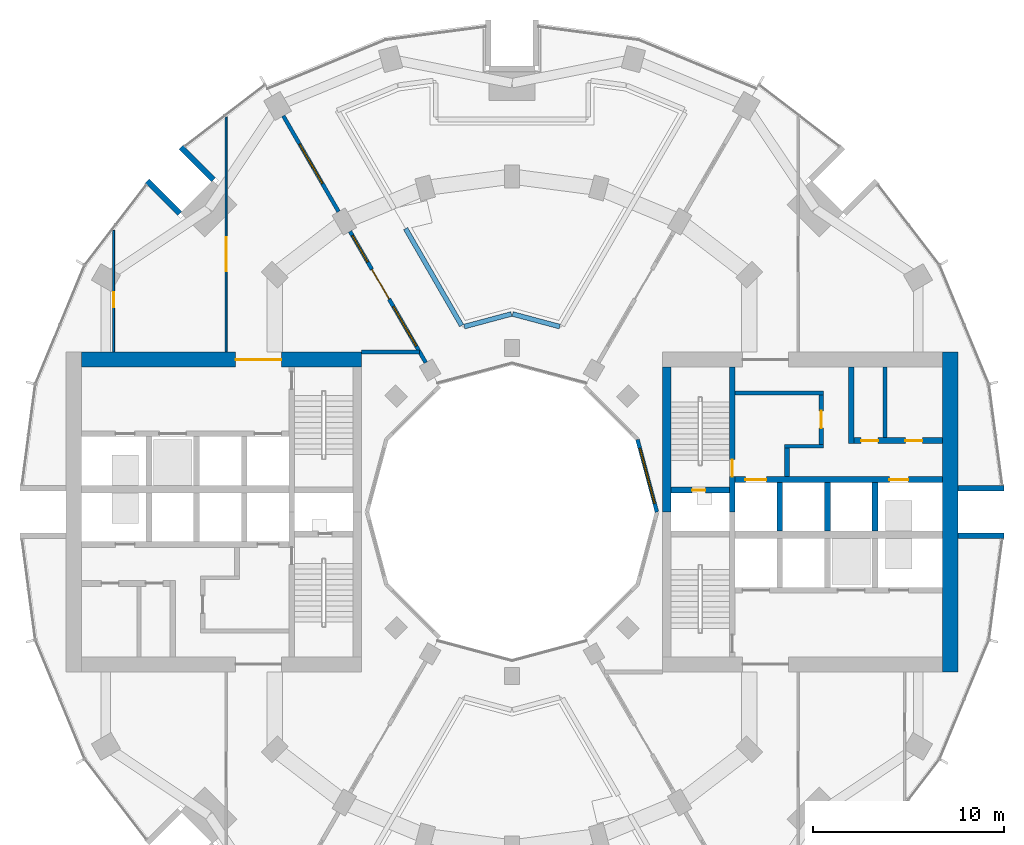
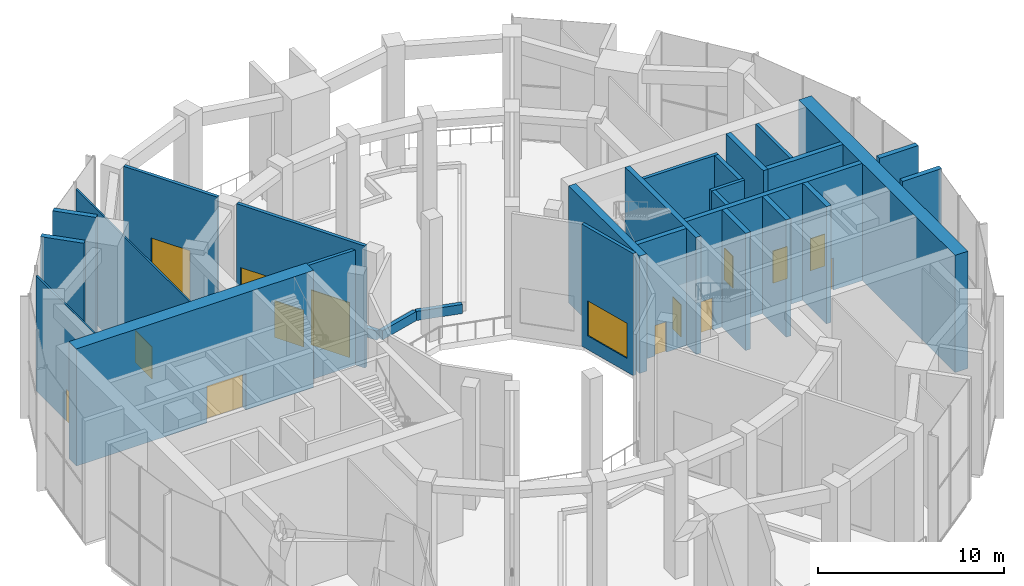
# One storey, part 13 of 18: 29 walls, 11 doors, 4 windows, 15 openings.
"""IFC4 building model written with IfcOpenShell, lengths in metres."""

from ifc_helpers import new_model, si_unit, direction, frame, frame_2d, origin, place, context, subcontext, project, spatial, rectangle, extrude, material, layer, layer_set, type_object, element, fill, save


model = new_model("IFC4")

# Units and contexts
model_context = context("Model", 3, precision=1e-05, world=origin(), true_north=direction((0.0, 1.0)))
body_context = subcontext(model_context, "Body", "Model", "MODEL_VIEW")
ifc_project = project(units=[si_unit("LENGTHUNIT", "METRE"), si_unit("AREAUNIT", "SQUARE_METRE"), si_unit("VOLUMEUNIT", "CUBIC_METRE"), si_unit("PLANEANGLEUNIT", "RADIAN"), si_unit("MASSUNIT", "GRAM", prefix="KILO")], contexts=[model_context])

# Site, building, storey
site_placement = place(None, origin())
site = spatial("IfcSite", under=ifc_project, at=site_placement, CompositionType="ELEMENT")
building_placement = place(site_placement, origin())
building = spatial("IfcBuilding", under=site, at=building_placement, Name="Torre Brocal", CompositionType="ELEMENT")
storey_placement = place(building_placement, frame((0.0, 0.0, 74.39990234375)))
storey = spatial("IfcBuildingStorey", under=building, at=storey_placement, Name="L17", CompositionType="ELEMENT", Elevation=74.39990234375)

# Walls
ifc_material_1 = material(Name="Masonry block", Category="masonry")
ifc_layer_1 = layer(ifc_material_1, 0.199951171875)
ifc_layer_set_1 = layer_set([ifc_layer_1], Name="Masonry block")
wall_type_1 = type_object("IfcWallType", Name="CORE PARTITION 200", PredefinedType="PARTITIONING", material=ifc_layer_set_1)
wall_1_placement = place(storey_placement, frame((99.577392578125, 78.89990234375, 0.0), z_axis=(0.0, 0.0, 1.0), x_axis=(0.0, 1.0, 0.0)))
element("IfcWall", 1, at=wall_1_placement, inside=storey, type_object=wall_type_1, Name="Wall CP200", PredefinedType="PARTITIONING", context=body_context, shape_type="SweptSolid", body=[
    extrude(rectangle(XDim=3.7001953125, YDim=0.199951171875, at=frame_2d((1.85009765625, 0.0))), origin(), (0.0, 0.0, 1.0), 7.68017578125),
])
ifc_material_2 = material(Name="Concrete C80", Category="concrete")
ifc_layer_2 = layer(ifc_material_2, 0.199951171875)
ifc_layer_set_2 = layer_set([ifc_layer_2], Name="Concrete C80")
wall_type_2 = type_object("IfcWallType", Name="CORE WALL 200 C80", PredefinedType="SHEAR", material=ifc_layer_set_2)
wall_2_placement = place(storey_placement, frame((91.699951171875, 81.25, 0.0), z_axis=(0.0, 0.0, 1.0), x_axis=(1.0, 0.0, 0.0)))
element("IfcWall", 2, at=wall_2_placement, inside=storey, type_object=wall_type_2, Name="Wall CW200-80", PredefinedType="SHEAR", context=body_context, shape_type="SweptSolid", body=[
    extrude(rectangle(XDim=4.650146484375, YDim=0.199951171875, at=frame_2d((2.3251953125, 0.0))), origin(), (0.0, 0.0, 1.0), 7.68017578125),
])
wall_3_placement = place(storey_placement, frame((94.300048828125, 78.449951171875, 0.0), z_axis=(0.0, 0.0, 1.0), x_axis=(1.0, 0.0, 0.0)))
element("IfcWall", 3, at=wall_3_placement, inside=storey, type_object=wall_type_2, Name="Wall CW200-80", PredefinedType="SHEAR", context=body_context, shape_type="SweptSolid", body=[
    extrude(rectangle(XDim=2.050048828125, YDim=0.199951171875, at=frame_2d((1.02490234375, 0.0))), origin(), (0.0, 0.0, 1.0), 7.68017578125),
])

# Wall, opening, door
ifc_material_3 = material(Name="Concrete C80", Category="concrete")
ifc_layer_3 = layer(ifc_material_3, 0.25)
ifc_layer_set_3 = layer_set([ifc_layer_3], Name="Concrete C80")
wall_type_3 = type_object("IfcWallType", Name="CORE WALL 250 C80", PredefinedType="SHEAR", material=ifc_layer_set_3)
wall_4_placement = place(storey_placement, frame((96.22509765625, 78.550048828125, 0.0), z_axis=(0.0, 0.0, 1.0), x_axis=(0.0, 1.0, 0.0)))
wall_4 = element("IfcWall", 4, at=wall_4_placement, inside=storey, type_object=wall_type_3, Name="Wall CW250-80", PredefinedType="SHEAR", context=body_context, shape_type="SweptSolid", body=[
    extrude(rectangle(XDim=2.599853515625, YDim=0.25, at=frame_2d((1.2998046875, 0.0))), origin(), (0.0, 0.0, 1.0), 7.68017578125),
])
opening_1_placement = place(wall_4_placement, frame((0.85009765625, 0.0, 0.0)))
opening_1 = element("IfcOpeningElement", 5, at=opening_1_placement, cuts=wall_4, Name="Opening E-D15", PredefinedType="OPENING", context=body_context, shape_type="SweptSolid", body=[
    extrude(rectangle(XDim=0.89990234375, YDim=2.10009765625, at=frame_2d((0.449951171875, 1.050048828125))), frame((0.0, 0.135009765625, 0.0), z_axis=(0.0, -1.0, 0.0), x_axis=(1.0, 0.0, 0.0)), (0.0, 0.0, 1.0), 0.27001953125),
])
ifc_material_4 = material(Name="Steel A653", Category="steel")
door_type_1 = type_object("IfcDoorType", Name="LOBBY DOOR FD120 900X2100", OperationType="SINGLE_SWING_RIGHT", PredefinedType="DOOR", material=ifc_material_4)
door_1_placement = place(opening_1_placement, origin())
door_1 = element("IfcDoor", 6, at=door_1_placement, inside=storey, type_object=door_type_1, Name="Door E-D15", OperationType="SINGLE_SWING_LEFT", OverallHeight=2.10009765625, OverallWidth=0.89990234375, PredefinedType="DOOR", context=body_context, shape_type="SweptSolid", body=[
    extrude(rectangle(XDim=0.89990234375, YDim=2.10009765625, at=frame_2d((0.449951171875, 1.050048828125))), frame((0.0, 0.02490234375, 0.0), z_axis=(0.0, -1.0, 0.0), x_axis=(1.0, 0.0, 0.0)), (0.0, 0.0, 1.0), 0.050048828125),
])
fill(opening_1, door_1)

# Wall
wall_5_placement = place(storey_placement, frame((94.425048828125, 76.85009765625, 0.0), z_axis=(0.0, 0.0, 1.0), x_axis=(0.0, 1.0, 0.0)))
element("IfcWall", 7, at=wall_5_placement, inside=storey, type_object=wall_type_3, Name="Wall CW250-80", PredefinedType="SHEAR", context=body_context, shape_type="SweptSolid", body=[
    extrude(rectangle(XDim=1.5, YDim=0.25, at=frame_2d((0.75, 0.0))), origin(), (0.0, 0.0, 1.0), 7.68017578125),
])

# Wall, opening, door
ifc_material_5 = material(Name="Concrete C80", Category="concrete")
ifc_layer_4 = layer(ifc_material_5, 0.300048828125)
ifc_layer_set_4 = layer_set([ifc_layer_4], Name="Concrete C80")
wall_type_4 = type_object("IfcWallType", Name="CORE WALL 300 C80", PredefinedType="SHEAR", material=ifc_layer_set_4)
wall_6_placement = place(storey_placement, frame((91.550048828125, 75.0, 0.0), z_axis=(0.0, 0.0, 1.0), x_axis=(0.0, 1.0, 0.0)))
wall_6 = element("IfcWall", 8, at=wall_6_placement, inside=storey, type_object=wall_type_4, Name="Wall CW300-80", PredefinedType="SHEAR", context=body_context, shape_type="SweptSolid", body=[
    extrude(rectangle(XDim=7.60009765625, YDim=0.300048828125, at=frame_2d((3.800048828125, 0.0))), origin(), (0.0, 0.0, 1.0), 7.68017578125),
])
opening_2_placement = place(wall_6_placement, frame((1.85009765625, 0.0, 0.0)))
opening_2 = element("IfcOpeningElement", 9, at=opening_2_placement, cuts=wall_6, Name="Opening E-D02", PredefinedType="OPENING", context=body_context, shape_type="SweptSolid", body=[
    extrude(rectangle(XDim=0.89990234375, YDim=2.10009765625, at=frame_2d((0.449951171875, 1.050048828125))), frame((0.0, 0.159912109375, 0.0), z_axis=(0.0, -1.0, 0.0), x_axis=(1.0, 0.0, 0.0)), (0.0, 0.0, 1.0), 0.320068359375),
])
ifc_material_6 = material(Name="Steel A653", Category="steel")
door_type_2 = type_object("IfcDoorType", Name="STAIR DOOR FD120 900X2100", OperationType="SINGLE_SWING_RIGHT", PredefinedType="DOOR", material=ifc_material_6)
door_2_placement = place(opening_2_placement, origin())
door_2 = element("IfcDoor", 10, at=door_2_placement, inside=storey, type_object=door_type_2, Name="Door E-D02", OperationType="SINGLE_SWING_LEFT", OverallHeight=2.10009765625, OverallWidth=0.89990234375, PredefinedType="DOOR", context=body_context, shape_type="SweptSolid", body=[
    extrude(rectangle(XDim=0.89990234375, YDim=2.10009765625, at=frame_2d((0.449951171875, 1.050048828125))), frame((0.0, 0.02490234375, 0.0), z_axis=(0.0, -1.0, 0.0), x_axis=(1.0, 0.0, 0.0)), (0.0, 0.0, 1.0), 0.050048828125),
])
fill(opening_2, door_2)

wall_7_placement = place(storey_placement, frame((88.35009765625, 76.14990234375, 0.0), z_axis=(0.0, 0.0, 1.0), x_axis=(1.0, 0.0, 0.0)))
wall_7 = element("IfcWall", 11, at=wall_7_placement, inside=storey, type_object=wall_type_4, Name="Wall CW300-80", PredefinedType="SHEAR", context=body_context, shape_type="SweptSolid", body=[
    extrude(rectangle(XDim=3.0498046875, YDim=0.300048828125, at=frame_2d((1.52490234375, 0.0))), origin(), (0.0, 0.0, 1.0), 7.68017578125),
])
opening_3_placement = place(wall_7_placement, frame((1.10009765625, 0.0, 0.0)))
opening_3 = element("IfcOpeningElement", 12, at=opening_3_placement, cuts=wall_7, Name="Opening E-D01", PredefinedType="OPENING", context=body_context, shape_type="SweptSolid", body=[
    extrude(rectangle(XDim=0.699951171875, YDim=2.0, at=frame_2d((0.35009765625, 1.0))), frame((0.0, 0.159912109375, 0.0), z_axis=(0.0, -1.0, 0.0), x_axis=(1.0, 0.0, 0.0)), (0.0, 0.0, 1.0), 0.320068359375),
])
ifc_material_7 = material(Name="Steel A653", Category="steel")
door_type_3 = type_object("IfcDoorType", Name="RISER DOOR FD120 700X2000", OperationType="SINGLE_SWING_LEFT", PredefinedType="DOOR", material=ifc_material_7)
door_3_placement = place(opening_3_placement, frame((0.699951171875, 0.0, 0.0), z_axis=(0.0, 0.0, 1.0), x_axis=(-1.0, 0.0, 0.0)))
door_3 = element("IfcDoor", 13, at=door_3_placement, inside=storey, type_object=door_type_3, Name="Door E-D01", OperationType="SINGLE_SWING_RIGHT", OverallHeight=2.0, OverallWidth=0.699951171875, PredefinedType="DOOR", context=body_context, shape_type="SweptSolid", body=[
    extrude(rectangle(XDim=0.699951171875, YDim=2.0, at=frame_2d((0.35009765625, 1.0))), frame((0.0, 0.02490234375, 0.0), z_axis=(0.0, -1.0, 0.0), x_axis=(1.0, 0.0, 0.0)), (0.0, 0.0, 1.0), 0.050048828125),
])
fill(opening_3, door_3)

# Wall, openings, doors
wall_8_placement = place(storey_placement, frame((91.699951171875, 76.699951171875, 0.0), z_axis=(0.0, 0.0, 1.0), x_axis=(1.0, 0.0, 0.0)))
wall_8 = element("IfcWall", 14, at=wall_8_placement, inside=storey, type_object=wall_type_4, Name="Wall CW300-80", PredefinedType="SHEAR", context=body_context, shape_type="SweptSolid", body=[
    extrude(rectangle(XDim=10.900146484375, YDim=0.300048828125, at=frame_2d((5.4501953125, 0.0))), origin(), (0.0, 0.0, 1.0), 7.68017578125),
])
opening_4_placement = place(wall_8_placement, frame((0.550048828125, 0.0, 0.0)))
opening_4 = element("IfcOpeningElement", 15, at=opening_4_placement, cuts=wall_8, Name="Opening LD", PredefinedType="OPENING", context=body_context, shape_type="SweptSolid", body=[
    extrude(rectangle(XDim=1.10009765625, YDim=2.10009765625, at=frame_2d((0.550048828125, 1.050048828125))), frame((0.0, 0.159912109375, 0.0), z_axis=(0.0, -1.0, 0.0), x_axis=(1.0, 0.0, 0.0)), (0.0, 0.0, 1.0), 0.320068359375),
])
opening_5_placement = place(wall_8_placement, frame((8.10009765625, 0.0, 0.0)))
opening_5 = element("IfcOpeningElement", 16, at=opening_5_placement, cuts=wall_8, Name="Opening LD10", PredefinedType="OPENING", context=body_context, shape_type="SweptSolid", body=[
    extrude(rectangle(XDim=1.0, YDim=2.10009765625, at=frame_2d((0.5, 1.050048828125))), frame((0.0, 0.159912109375, 0.0), z_axis=(0.0, -1.0, 0.0), x_axis=(1.0, 0.0, 0.0)), (0.0, 0.0, 1.0), 0.320068359375),
])
ifc_material_8 = material(Name="Stainless steel AISI 316", Category="steel")
door_type_4 = type_object("IfcDoorType", Name="LIFT LANDING DOOR 1000X2100", OperationType="DOUBLE_DOOR_SLIDING", PredefinedType="DOOR", material=ifc_material_8)
door_4_placement = place(opening_5_placement, origin())
door_4 = element("IfcDoor", 17, at=door_4_placement, inside=storey, type_object=door_type_4, Name="Door LD10", OperationType="DOUBLE_DOOR_SLIDING", OverallHeight=2.10009765625, OverallWidth=1.0, PredefinedType="DOOR", context=body_context, shape_type="SweptSolid", body=[
    extrude(rectangle(XDim=1.0, YDim=2.10009765625, at=frame_2d((0.5, 1.050048828125))), frame((0.0, 0.02490234375, 0.0), z_axis=(0.0, -1.0, 0.0), x_axis=(1.0, 0.0, 0.0)), (0.0, 0.0, 1.0), 0.050048828125),
])
fill(opening_5, door_4)
ifc_material_9 = material(Name="Stainless steel AISI 316", Category="steel")
door_type_5 = type_object("IfcDoorType", Name="LIFT LANDING DOOR 1100X2100", OperationType="DOUBLE_DOOR_SLIDING", PredefinedType="DOOR", material=ifc_material_9)
door_5_placement = place(opening_4_placement, origin())
door_5 = element("IfcDoor", 18, at=door_5_placement, inside=storey, type_object=door_type_5, Name="Door LD", OperationType="DOUBLE_DOOR_SLIDING", OverallHeight=2.10009765625, OverallWidth=1.10009765625, PredefinedType="DOOR", context=body_context, shape_type="SweptSolid", body=[
    extrude(rectangle(XDim=1.10009765625, YDim=2.10009765625, at=frame_2d((0.550048828125, 1.050048828125))), frame((0.0, 0.02490234375, 0.0), z_axis=(0.0, -1.0, 0.0), x_axis=(1.0, 0.0, 0.0)), (0.0, 0.0, 1.0), 0.050048828125),
])
fill(opening_4, door_5)

# Walls
for number, where, z_axis, x_axis, name in (
    (19, (94.050048828125, 74.0, 0.0), (0.0, 0.0, 1.0), (0.0, 1.0, 0.0), "Wall CW300-80"),
    (20, (96.550048828125, 74.0, 0.0), (0.0, 0.0, 1.0), (0.0, 1.0, 0.0), "Wall CW300-80"),
    (21, (99.050048828125, 74.0, 0.0), (0.0, 0.0, 1.0), (0.0, 1.0, 0.0), "Wall CW300-80"),
):
    element("IfcWall", number, at=place(storey_placement, frame(where, z_axis=z_axis, x_axis=x_axis)), inside=storey, type_object=wall_type_4, Name=name, PredefinedType="SHEAR", context=body_context, shape_type="SweptSolid", body=[
        extrude(rectangle(XDim=2.550048828125, YDim=0.300048828125, at=frame_2d((1.27490234375, 0.0))), origin(), (0.0, 0.0, 1.0), 7.68017578125),
    ])
wall_9_placement = place(storey_placement, frame((97.800048828125, 78.60009765625, 0.0), z_axis=(0.0, 0.0, 1.0), x_axis=(0.0, 1.0, 0.0)))
element("IfcWall", 22, at=wall_9_placement, inside=storey, type_object=wall_type_4, Name="Wall CW300-80", PredefinedType="SHEAR", context=body_context, shape_type="SweptSolid", body=[
    extrude(rectangle(XDim=4.0, YDim=0.300048828125, at=frame_2d((2.0, 0.0))), origin(), (0.0, 0.0, 1.0), 7.68017578125),
])

# Wall, openings, doors
wall_10_placement = place(storey_placement, frame((97.949951171875, 78.75, 0.0), z_axis=(0.0, 0.0, 1.0), x_axis=(1.0, 0.0, 0.0)))
wall_10 = element("IfcWall", 23, at=wall_10_placement, inside=storey, type_object=wall_type_4, Name="Wall CW300-80", PredefinedType="SHEAR", context=body_context, shape_type="SweptSolid", body=[
    extrude(rectangle(XDim=4.650146484375, YDim=0.300048828125, at=frame_2d((2.3251953125, 0.0))), origin(), (0.0, 0.0, 1.0), 7.68017578125),
])
opening_6_placement = place(wall_10_placement, frame((0.36376953125, 0.0, 0.0)))
opening_6 = element("IfcOpeningElement", 24, at=opening_6_placement, cuts=wall_10, Name="Opening E-D05", PredefinedType="OPENING", context=body_context, shape_type="SweptSolid", body=[
    extrude(rectangle(XDim=0.89990234375, YDim=2.10009765625, at=frame_2d((0.449951171875, 1.050048828125))), frame((0.0, 0.159912109375, 0.0), z_axis=(0.0, -1.0, 0.0), x_axis=(1.0, 0.0, 0.0)), (0.0, 0.0, 1.0), 0.320068359375),
])
opening_7_placement = place(wall_10_placement, frame((2.688720703125, 0.0, 0.0)))
opening_7 = element("IfcOpeningElement", 25, at=opening_7_placement, cuts=wall_10, Name="Opening E-D06", PredefinedType="OPENING", context=body_context, shape_type="SweptSolid", body=[
    extrude(rectangle(XDim=0.89990234375, YDim=2.10009765625, at=frame_2d((0.449951171875, 1.050048828125))), frame((0.0, 0.159912109375, 0.0), z_axis=(0.0, -1.0, 0.0), x_axis=(1.0, 0.0, 0.0)), (0.0, 0.0, 1.0), 0.320068359375),
])
ifc_material_10 = material(Name="Steel A653", Category="steel")
door_type_6 = type_object("IfcDoorType", Name="ROOM DOOR FD30S 900X2100", OperationType="SINGLE_SWING_LEFT", PredefinedType="DOOR", material=ifc_material_10)
door_6_placement = place(opening_6_placement, origin())
door_6 = element("IfcDoor", 26, at=door_6_placement, inside=storey, type_object=door_type_6, Name="Door E-D05", OperationType="SINGLE_SWING_RIGHT", OverallHeight=2.10009765625, OverallWidth=0.89990234375, PredefinedType="DOOR", context=body_context, shape_type="SweptSolid", body=[
    extrude(rectangle(XDim=0.89990234375, YDim=2.10009765625, at=frame_2d((0.449951171875, 1.050048828125))), frame((0.0, 0.02490234375, 0.0), z_axis=(0.0, -1.0, 0.0), x_axis=(1.0, 0.0, 0.0)), (0.0, 0.0, 1.0), 0.050048828125),
])
fill(opening_6, door_6)
door_7_placement = place(opening_7_placement, origin())
door_7 = element("IfcDoor", 27, at=door_7_placement, inside=storey, type_object=door_type_6, Name="Door E-D06", OperationType="SINGLE_SWING_LEFT", OverallHeight=2.10009765625, OverallWidth=0.89990234375, PredefinedType="DOOR", context=body_context, shape_type="SweptSolid", body=[
    extrude(rectangle(XDim=0.89990234375, YDim=2.10009765625, at=frame_2d((0.449951171875, 1.050048828125))), frame((0.0, 0.02490234375, 0.0), z_axis=(0.0, -1.0, 0.0), x_axis=(1.0, 0.0, 0.0)), (0.0, 0.0, 1.0), 0.050048828125),
])
fill(opening_7, door_7)

# Walls
ifc_material_11 = material(Name="Concrete C80", Category="concrete")
ifc_layer_5 = layer(ifc_material_11, 0.449951171875)
ifc_layer_set_5 = layer_set([ifc_layer_5], Name="Concrete C80")
wall_type_5 = type_object("IfcWallType", Name="CORE WALL 450 C80", PredefinedType="SHEAR", material=ifc_layer_set_5)
wall_11_placement = place(storey_placement, frame((88.125, 75.0, 0.0), z_axis=(0.0, 0.0, 1.0), x_axis=(0.0, 1.0, 0.0)))
element("IfcWall", 28, at=wall_11_placement, inside=storey, type_object=wall_type_5, Name="Wall CW450-80", PredefinedType="SHEAR", context=body_context, shape_type="SweptSolid", body=[
    extrude(rectangle(XDim=7.60009765625, YDim=0.449951171875, at=frame_2d((3.800048828125, 0.0))), origin(), (0.0, 0.0, 1.0), 7.68017578125),
])
ifc_material_12 = material(Name="Concrete C80", Category="concrete")
ifc_layer_6 = layer(ifc_material_12, 0.800048828125)
ifc_layer_set_6 = layer_set([ifc_layer_6], Name="Concrete C80")
wall_type_6 = type_object("IfcWallType", Name="CORE WALL 800 C80", PredefinedType="SHEAR", material=ifc_layer_set_6)
wall_12_placement = place(storey_placement, frame((103.0, 66.60009765625, 0.0), z_axis=(0.0, 0.0, 1.0), x_axis=(0.0, 1.0, 0.0)))
element("IfcWall", 29, at=wall_12_placement, inside=storey, type_object=wall_type_6, Name="Wall CW800-80", PredefinedType="SHEAR", context=body_context, shape_type="SweptSolid", body=[
    extrude(rectangle(XDim=16.7998046875, YDim=0.800048828125, at=frame_2d((8.39990234375, 0.0))), origin(), (0.0, 0.0, 1.0), 7.68017578125),
])

# Wall, opening, door
wall_13_placement = place(storey_placement, frame((72.10009765625, 83.0, 0.0), z_axis=(0.0, 0.0, 1.0), x_axis=(-1.0, 0.0, 0.0)))
wall_13 = element("IfcWall", 30, at=wall_13_placement, inside=storey, type_object=wall_type_6, Name="Wall CW800-80", PredefinedType="SHEAR", context=body_context, shape_type="SweptSolid", body=[
    extrude(rectangle(XDim=14.7001953125, YDim=0.800048828125, at=frame_2d((7.35009765625, 0.0))), origin(), (0.0, 0.0, 1.0), 7.68017578125),
])
opening_8_placement = place(wall_13_placement, frame((4.199951171875, 0.0, 0.0)))
opening_8 = element("IfcOpeningElement", 31, at=opening_8_placement, cuts=wall_13, Name="Opening W-D27", PredefinedType="OPENING", context=body_context, shape_type="SweptSolid", body=[
    extrude(rectangle(XDim=2.39990234375, YDim=2.39990234375, at=frame_2d((1.199951171875, 1.199951171875))), frame((0.0, 0.409912109375, 0.0), z_axis=(0.0, -1.0, 0.0), x_axis=(1.0, 0.0, 0.0)), (0.0, 0.0, 1.0), 0.820068359375),
])
ifc_material_13 = material(Name="Steel A653", Category="steel")
door_type_7 = type_object("IfcDoorType", Name="DOUBLE FIRE DOOR FD90 2400X2400", OperationType="DOUBLE_DOOR_SINGLE_SWING", PredefinedType="DOOR", material=ifc_material_13)
door_8_placement = place(opening_8_placement, frame((2.39990234375, 0.0, 0.0), z_axis=(0.0, 0.0, 1.0), x_axis=(-1.0, 0.0, 0.0)))
door_8 = element("IfcDoor", 32, at=door_8_placement, inside=storey, type_object=door_type_7, Name="Door W-D27", OperationType="DOUBLE_DOOR_SINGLE_SWING", OverallHeight=2.39990234375, OverallWidth=2.39990234375, PredefinedType="DOOR", context=body_context, shape_type="SweptSolid", body=[
    extrude(rectangle(XDim=2.39990234375, YDim=2.39990234375, at=frame_2d((1.199951171875, 1.199951171875))), frame((0.0, 0.02490234375, 0.0), z_axis=(0.0, -1.0, 0.0), x_axis=(1.0, 0.0, 0.0)), (0.0, 0.0, 1.0), 0.050048828125),
])
fill(opening_8, door_8)

# Walls
ifc_material_14 = material(Name="Concrete C80", Category="concrete")
ifc_layer_7 = layer(ifc_material_14, 0.300048828125)
ifc_layer_set_7 = layer_set([ifc_layer_7], Name="Concrete C80")
wall_type_7 = type_object("IfcWallType", Name="NOTCH RETURN WALL 300 C80", PredefinedType="NOTDEFINED", material=ifc_layer_set_7)
for number, where, z_axis, x_axis, name in (
    (33, (103.39990234375, 73.75, 0.0), (0.0, 0.0, 1.0), (1.0, 0.0, 0.0), "NOTCH RETURN WALL"),
    (34, (103.39990234375, 76.25, 0.0), (0.0, 0.0, 1.0), (1.0, 0.0, 0.0), "NOTCH RETURN WALL"),
    (35, (64.337646484375, 92.43017578125, 0.0), (0.0, 0.0, 1.0), (-0.707106781187, 0.707106781187, 0.0), "NOTCH RETURN WALL"),
    (36, (62.56982421875, 90.662353515625, 0.0), (0.0, 0.0, 1.0), (-0.707106781187, 0.707106781187, 0.0), "NOTCH RETURN WALL"),
):
    element("IfcWall", number, at=place(storey_placement, frame(where, z_axis=z_axis, x_axis=x_axis)), inside=storey, type_object=wall_type_7, Name=name, PredefinedType="NOTDEFINED", context=body_context, shape_type="SweptSolid", body=[
        extrude(rectangle(XDim=2.415771484375, YDim=0.300048828125, at=frame_2d((1.2080078125, 0.0))), origin(), (0.0, 0.0, 1.0), 8.0),
    ])

# Wall, opening, door
ifc_material_15 = material(Name="Gypsum board", Category="Gypsum")
ifc_layer_8 = layer(ifc_material_15, 0.10009765625)
ifc_layer_set_8 = layer_set([ifc_layer_8], Name="Gypsum board")
wall_type_8 = type_object("IfcWallType", Name="PARTITION 100", PredefinedType="PARTITIONING", material=ifc_layer_set_8)
wall_14_placement = place(storey_placement, frame((59.093994140625, 83.39990234375, 0.0), z_axis=(0.0, 0.0, 1.0), x_axis=(0.0, 1.0, 0.0)))
wall_14 = element("IfcWall", 37, at=wall_14_placement, inside=storey, type_object=wall_type_8, Name="BATHROOM WALL", PredefinedType="PARTITIONING", context=body_context, shape_type="SweptSolid", body=[
    extrude(rectangle(XDim=6.37109375, YDim=0.10009765625, at=frame_2d((3.185546875, 0.0))), origin(), (0.0, 0.0, 1.0), 7.550048828125),
])
opening_9_placement = place(wall_14_placement, frame((2.33544921875, 0.0, 0.0)))
opening_9 = element("IfcOpeningElement", 38, at=opening_9_placement, cuts=wall_14, Name="Opening SG1-D05", PredefinedType="OPENING", context=body_context, shape_type="SweptSolid", body=[
    extrude(rectangle(XDim=0.800048828125, YDim=2.10009765625, at=frame_2d((0.39990234375, 1.050048828125))), frame((0.0, 0.06005859375, 0.0), z_axis=(0.0, -1.0, 0.0), x_axis=(1.0, 0.0, 0.0)), (0.0, 0.0, 1.0), 0.1201171875),
])
ifc_material_16 = material(Name="Timber", Category="wood")
door_type_8 = type_object("IfcDoorType", Name="BATHROOM DOOR 800X2100", OperationType="SINGLE_SWING_LEFT", PredefinedType="DOOR", material=ifc_material_16)
door_9_placement = place(opening_9_placement, frame((0.800048828125, 0.0, 0.0), z_axis=(0.0, 0.0, 1.0), x_axis=(-1.0, 0.0, 0.0)))
door_9 = element("IfcDoor", 39, at=door_9_placement, inside=storey, type_object=door_type_8, Name="SG1-D05", OperationType="SINGLE_SWING_RIGHT", OverallHeight=2.10009765625, OverallWidth=0.800048828125, PredefinedType="DOOR", context=body_context, shape_type="SweptSolid", body=[
    extrude(rectangle(XDim=0.800048828125, YDim=2.10009765625, at=frame_2d((0.39990234375, 1.050048828125))), frame((0.0, 0.02490234375, 0.0), z_axis=(0.0, -1.0, 0.0), x_axis=(1.0, 0.0, 0.0)), (0.0, 0.0, 1.0), 0.050048828125),
])
fill(opening_9, door_9)

wall_15_placement = place(storey_placement, frame((65.0, 83.39990234375, 0.0), z_axis=(0.0, 0.0, 1.0), x_axis=(0.0, 1.0, 0.0)))
wall_15 = element("IfcWall", 40, at=wall_15_placement, inside=storey, type_object=wall_type_8, Name="ROOM PARTITION", PredefinedType="PARTITIONING", context=body_context, shape_type="SweptSolid", body=[
    extrude(rectangle(XDim=12.330078125, YDim=0.10009765625, at=frame_2d((6.1650390625, 0.0))), origin(), (0.0, 0.0, 1.0), 7.550048828125),
])
opening_10_placement = place(wall_15_placement, frame((4.221435546875, 0.0, 0.0)))
opening_10 = element("IfcOpeningElement", 41, at=opening_10_placement, cuts=wall_15, Name="Opening SG1-D04", PredefinedType="OPENING", context=body_context, shape_type="SweptSolid", body=[
    extrude(rectangle(XDim=1.800048828125, YDim=2.10009765625, at=frame_2d((0.89990234375, 1.050048828125))), frame((0.0, 0.06005859375, 0.0), z_axis=(0.0, -1.0, 0.0), x_axis=(1.0, 0.0, 0.0)), (0.0, 0.0, 1.0), 0.1201171875),
])
ifc_material_17 = material(Name="Timber", Category="wood")
door_type_9 = type_object("IfcDoorType", Name="DOUBLE DOOR 1800X2100", OperationType="DOUBLE_DOOR_SINGLE_SWING", PredefinedType="DOOR", material=ifc_material_17)
door_10_placement = place(opening_10_placement, origin())
door_10 = element("IfcDoor", 42, at=door_10_placement, inside=storey, type_object=door_type_9, Name="SG1-D04", OperationType="DOUBLE_DOOR_SINGLE_SWING", OverallHeight=2.10009765625, OverallWidth=1.800048828125, PredefinedType="DOOR", context=body_context, shape_type="SweptSolid", body=[
    extrude(rectangle(XDim=1.800048828125, YDim=2.10009765625, at=frame_2d((0.89990234375, 1.050048828125))), frame((0.0, 0.02490234375, 0.0), z_axis=(0.0, -1.0, 0.0), x_axis=(1.0, 0.0, 0.0)), (0.0, 0.0, 1.0), 0.050048828125),
])
fill(opening_10, door_10)

# Wall
ifc_material_18 = material(Name="Gypsum board", Category="Gypsum")
ifc_layer_9 = layer(ifc_material_18, 0.199951171875)
ifc_layer_set_9 = layer_set([ifc_layer_9], Name="Gypsum board")
wall_type_9 = type_object("IfcWallType", Name="PARTITION 200 EI60", PredefinedType="PARTITIONING", material=ifc_layer_set_9)
wall_16_placement = place(storey_placement, frame((72.10107421875, 83.39990234375, 0.0), z_axis=(0.0, 0.0, 1.0), x_axis=(1.0, 0.0, 0.0)))
element("IfcWall", 43, at=wall_16_placement, inside=storey, type_object=wall_type_9, Name="PARTY PARTITION", PredefinedType="PARTITIONING", context=body_context, shape_type="SweptSolid", body=[
    extrude(rectangle(XDim=3.0478515625, YDim=0.199951171875, at=frame_2d((1.52392578125, 0.0))), origin(), (0.0, 0.0, 1.0), 7.550048828125),
])

# Wall, openings, door, windows
ifc_material_19 = material(Name="Concrete C40", Category="concrete")
ifc_layer_10 = layer(ifc_material_19, 0.199951171875)
ifc_layer_set_10 = layer_set([ifc_layer_10], Name="Concrete C40")
wall_type_10 = type_object("IfcWallType", Name="PAVILION BOUNDARY WALL 200", PredefinedType="NOTDEFINED", material=ifc_layer_set_10)
wall_17_placement = place(storey_placement, frame((75.47509765625, 82.837646484375, 0.0), z_axis=(0.0, 0.0, 1.0), x_axis=(-0.50001663867, 0.86601579723, 0.0)))
wall_17 = element("IfcWall", 44, at=wall_17_placement, inside=storey, type_object=wall_type_10, Name="PAVILION BOUNDARY WALL", PredefinedType="NOTDEFINED", context=body_context, shape_type="SweptSolid", body=[
    extrude(rectangle(XDim=7.949951171875, YDim=0.199951171875, at=frame_2d((3.97509765625, 0.0))), origin(), (0.0, 0.0, 1.0), 8.0),
])
opening_11_placement = place(wall_17_placement, frame((1.0, 0.0, 0.300048828125)))
opening_11 = element("IfcOpeningElement", 45, at=opening_11_placement, cuts=wall_17, Name="Opening W4", PredefinedType="OPENING", context=body_context, shape_type="SweptSolid", body=[
    extrude(rectangle(XDim=2.39990234375, YDim=3.60009765625, at=frame_2d((1.199951171875, 1.800048828125))), frame((0.0, 0.10986328125, 0.0), z_axis=(0.0, -1.0, 0.0), x_axis=(1.0, 0.0, 0.0)), (0.0, 0.0, 1.0), 0.219970703125),
])
opening_12_placement = place(wall_17_placement, frame((3.85009765625, 0.0, 0.0)))
opening_12 = element("IfcOpeningElement", 46, at=opening_12_placement, cuts=wall_17, Name="Opening L17-E02", PredefinedType="OPENING", context=body_context, shape_type="SweptSolid", body=[
    extrude(rectangle(XDim=1.800048828125, YDim=2.39990234375, at=frame_2d((0.89990234375, 1.199951171875))), frame((0.0, 0.10986328125, 0.0), z_axis=(0.0, -1.0, 0.0), x_axis=(1.0, 0.0, 0.0)), (0.0, 0.0, 1.0), 0.219970703125),
])
opening_13_placement = place(wall_17_placement, frame((6.10009765625, 0.0, 0.300048828125)))
opening_13 = element("IfcOpeningElement", 47, at=opening_13_placement, cuts=wall_17, Name="Opening W4-1600", PredefinedType="OPENING", context=body_context, shape_type="SweptSolid", body=[
    extrude(rectangle(XDim=1.60009765625, YDim=3.60009765625, at=frame_2d((0.800048828125, 1.800048828125))), frame((0.0, 0.10986328125, 0.0), z_axis=(0.0, -1.0, 0.0), x_axis=(1.0, 0.0, 0.0)), (0.0, 0.0, 1.0), 0.219970703125),
])
ifc_material_20 = material(Name="Aluminium and glass", Category="aluminium")
door_type_10 = type_object("IfcDoorType", Name="PAVILION DOOR 1800X2400", OperationType="DOUBLE_DOOR_SINGLE_SWING", PredefinedType="DOOR", material=ifc_material_20)
door_11_placement = place(opening_12_placement, frame((1.800048828125, 0.0, 0.0), z_axis=(0.0, 0.0, 1.0), x_axis=(-1.0, 0.0, 0.0)))
door_11 = element("IfcDoor", 48, at=door_11_placement, inside=storey, type_object=door_type_10, Name="DOOR L17-E02", OperationType="DOUBLE_DOOR_SINGLE_SWING", OverallHeight=2.39990234375, OverallWidth=1.800048828125, PredefinedType="DOOR", context=body_context, shape_type="SweptSolid", body=[
    extrude(rectangle(XDim=1.800048828125, YDim=2.39990234375, at=frame_2d((0.89990234375, 1.199951171875))), frame((0.0, 0.02490234375, 0.0), z_axis=(0.0, -1.0, 0.0), x_axis=(1.0, 0.0, 0.0)), (0.0, 0.0, 1.0), 0.050048828125),
])
fill(opening_12, door_11)
ifc_material_21 = material(Name="Aluminium and glass", Category="aluminium")
window_type_1 = type_object("IfcWindowType", Name="PAVILION WINDOW 1600X3600", PartitioningType="SINGLE_PANEL", PredefinedType="WINDOW", material=ifc_material_21)
window_1_placement = place(opening_13_placement, origin())
window_1 = element("IfcWindow", 49, at=window_1_placement, inside=storey, type_object=window_type_1, Name="PAVILION WINDOW 1600X3600", OverallHeight=3.60009765625, OverallWidth=1.60009765625, PartitioningType="SINGLE_PANEL", PredefinedType="WINDOW", context=body_context, shape_type="SweptSolid", body=[
    extrude(rectangle(XDim=1.60009765625, YDim=3.60009765625, at=frame_2d((0.800048828125, 1.800048828125))), frame((0.0, 0.030029296875, 0.0), z_axis=(0.0, -1.0, 0.0), x_axis=(1.0, 0.0, 0.0)), (0.0, 0.0, 1.0), 0.06005859375),
])
fill(opening_13, window_1)
ifc_material_22 = material(Name="Aluminium and glass", Category="aluminium")
window_type_2 = type_object("IfcWindowType", Name="PAVILION WINDOW 2400X3600", PartitioningType="SINGLE_PANEL", PredefinedType="WINDOW", material=ifc_material_22)
window_2_placement = place(opening_11_placement, origin())
window_2 = element("IfcWindow", 50, at=window_2_placement, inside=storey, type_object=window_type_2, Name="PAVILION WINDOW 2400X3600", OverallHeight=3.60009765625, OverallWidth=2.39990234375, PartitioningType="SINGLE_PANEL", PredefinedType="WINDOW", context=body_context, shape_type="SweptSolid", body=[
    extrude(rectangle(XDim=2.39990234375, YDim=3.60009765625, at=frame_2d((1.199951171875, 1.800048828125))), frame((0.0, 0.030029296875, 0.0), z_axis=(0.0, -1.0, 0.0), x_axis=(1.0, 0.0, 0.0)), (0.0, 0.0, 1.0), 0.06005859375),
])
fill(opening_11, window_2)

# Wall, opening, window
wall_18_placement = place(storey_placement, frame((70.89990234375, 90.76171875, 0.0), z_axis=(0.0, 0.0, 1.0), x_axis=(-0.499987231761, 0.866032775405, 0.0)))
wall_18 = element("IfcWall", 51, at=wall_18_placement, inside=storey, type_object=wall_type_10, Name="PAVILION BOUNDARY WALL", PredefinedType="NOTDEFINED", context=body_context, shape_type="SweptSolid", body=[
    extrude(rectangle(XDim=5.800048828125, YDim=0.199951171875, at=frame_2d((2.89990234375, 0.0))), origin(), (0.0, 0.0, 1.0), 8.0),
])
opening_14_placement = place(wall_18_placement, frame((1.699951171875, 0.0, 0.300048828125)))
opening_14 = element("IfcOpeningElement", 52, at=opening_14_placement, cuts=wall_18, Name="Opening W4", PredefinedType="OPENING", context=body_context, shape_type="SweptSolid", body=[
    extrude(rectangle(XDim=2.39990234375, YDim=3.60009765625, at=frame_2d((1.199951171875, 1.800048828125))), frame((0.0, 0.10986328125, 0.0), z_axis=(0.0, -1.0, 0.0), x_axis=(1.0, 0.0, 0.0)), (0.0, 0.0, 1.0), 0.219970703125),
])
window_3_placement = place(opening_14_placement, origin())
window_3 = element("IfcWindow", 53, at=window_3_placement, inside=storey, type_object=window_type_2, Name="PAVILION WINDOW 2400X3600", OverallHeight=3.60009765625, OverallWidth=2.39990234375, PartitioningType="SINGLE_PANEL", PredefinedType="WINDOW", context=body_context, shape_type="SweptSolid", body=[
    extrude(rectangle(XDim=2.39990234375, YDim=3.60009765625, at=frame_2d((1.199951171875, 1.800048828125))), frame((0.0, 0.030029296875, 0.0), z_axis=(0.0, -1.0, 0.0), x_axis=(1.0, 0.0, 0.0)), (0.0, 0.0, 1.0), 0.06005859375),
])
fill(opening_14, window_3)

# Walls
ifc_material_23 = material(Name="Concrete C35", Category="concrete")
ifc_layer_11 = layer(ifc_material_23, 0.25)
ifc_layer_set_11 = layer_set([ifc_layer_11], Name="Concrete C35")
wall_type_11 = type_object("IfcWallType", Name="PLANTER WALL 250 THICK 600 HIGH 8", PredefinedType="USERDEFINED", material=ifc_layer_set_11)
wall_19_placement = place(storey_placement, frame((74.417724609375, 89.86865234375, 0.0), z_axis=(0.0, 0.0, 1.0), x_axis=(0.499999689456, -0.866025583077, 0.0)))
element("IfcWall", 54, at=wall_19_placement, inside=storey, type_object=wall_type_11, Name="PLANTER", ObjectType="PLANTER", PredefinedType="USERDEFINED", context=body_context, shape_type="SweptSolid", body=[
    extrude(rectangle(XDim=5.86962890625, YDim=0.25, at=frame_2d((2.934814453125, 0.0))), origin(), (0.0, 0.0, 1.0), 0.60009765625),
])
for number, where, z_axis, x_axis, name in (
    (55, (77.4931640625, 84.72705078125, 0.0), (0.0, 0.0, 1.0), (0.965917845578, 0.258848827685, 0.0), "PLANTER"),
    (56, (80.032470703125, 85.39013671875, 0.0), (0.0, 0.0, 1.0), (0.965917845578, -0.258848827685, 0.0), "PLANTER"),
):
    element("IfcWall", number, at=place(storey_placement, frame(where, z_axis=z_axis, x_axis=x_axis)), inside=storey, type_object=wall_type_11, Name=name, ObjectType="PLANTER", PredefinedType="USERDEFINED", context=body_context, shape_type="SweptSolid", body=[
        extrude(rectangle(XDim=2.561767578125, YDim=0.25, at=frame_2d((1.28076171875, 0.0))), origin(), (0.0, 0.0, 1.0), 0.60009765625),
    ])

# Wall, opening, window
ifc_material_24 = material(Name="Concrete C40", Category="concrete")
ifc_layer_12 = layer(ifc_material_24, 0.199951171875)
ifc_layer_set_12 = layer_set([ifc_layer_12], Name="Concrete C40")
wall_type_12 = type_object("IfcWallType", Name="WELL FACADE WALL 200", PredefinedType="NOTDEFINED", material=ifc_layer_set_12)
wall_20_placement = place(storey_placement, frame((87.603515625, 75.0, 0.0), z_axis=(0.0, 0.0, 1.0), x_axis=(-0.258789828301, 0.965933654434, 0.0)))
wall_20 = element("IfcWall", 57, at=wall_20_placement, inside=storey, type_object=wall_type_12, Name="WELL FACADE WALL", PredefinedType="NOTDEFINED", context=body_context, shape_type="SweptSolid", body=[
    extrude(rectangle(XDim=3.935791015625, YDim=0.199951171875, at=frame_2d((1.9677734375, 0.0))), origin(), (0.0, 0.0, 1.0), 8.0),
])
opening_15_placement = place(wall_20_placement, frame((0.468017578125, 0.0, 0.89990234375)))
opening_15 = element("IfcOpeningElement", 58, at=opening_15_placement, cuts=wall_20, Name="Opening W1", PredefinedType="OPENING", context=body_context, shape_type="SweptSolid", body=[
    extrude(rectangle(XDim=3.0, YDim=2.300048828125, at=frame_2d((1.5, 1.14990234375))), frame((0.0, 0.10986328125, 0.0), z_axis=(0.0, -1.0, 0.0), x_axis=(1.0, 0.0, 0.0)), (0.0, 0.0, 1.0), 0.219970703125),
])
ifc_material_25 = material(Name="Aluminium and glass", Category="aluminium")
window_type_3 = type_object("IfcWindowType", Name="WELL WINDOW 3000X2300", PartitioningType="SINGLE_PANEL", PredefinedType="WINDOW", material=ifc_material_25)
window_4_placement = place(opening_15_placement, origin())
window_4 = element("IfcWindow", 59, at=window_4_placement, inside=storey, type_object=window_type_3, Name="WELL WINDOW 3000X2300", OverallHeight=2.300048828125, OverallWidth=3.0, PartitioningType="SINGLE_PANEL", PredefinedType="WINDOW", context=body_context, shape_type="SweptSolid", body=[
    extrude(rectangle(XDim=3.0, YDim=2.300048828125, at=frame_2d((1.5, 1.14990234375))), frame((0.0, 0.030029296875, 0.0), z_axis=(0.0, -1.0, 0.0), x_axis=(1.0, 0.0, 0.0)), (0.0, 0.0, 1.0), 0.06005859375),
])
fill(opening_15, window_4)

save(model, "model.ifc")
